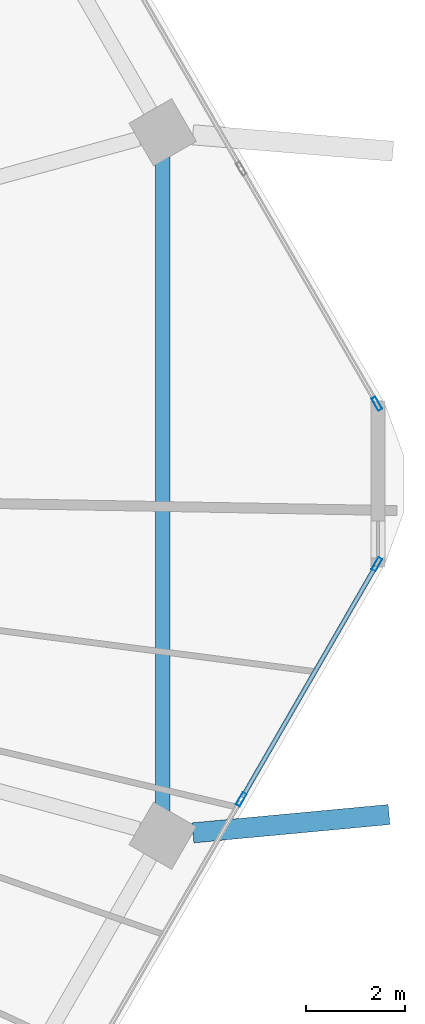
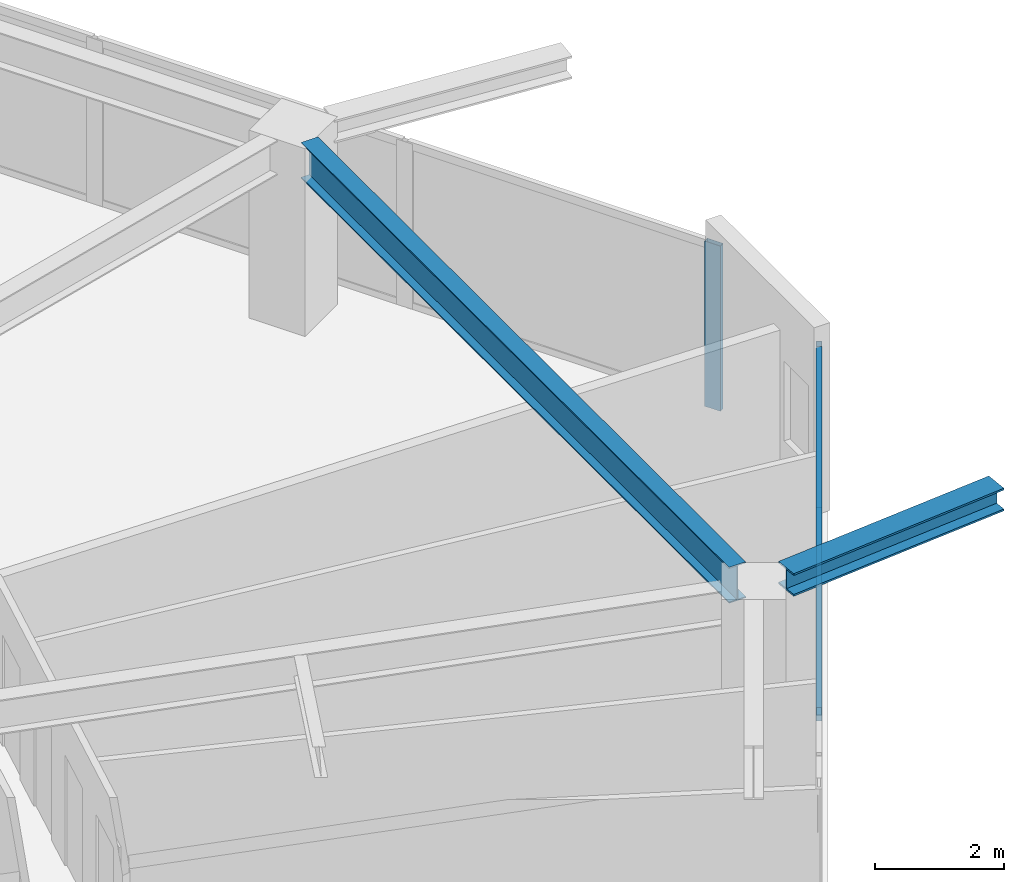
# One storey, part 9 of 27: 5 members, 2 beams, 2 elements without a shape of their own.
"""IFC4 building model written with IfcOpenShell, lengths in metres."""

from ifc_helpers import new_model, si_unit, direction, frame, origin, origin_2d, place, context, subcontext, project, spatial, hollow_rectangle, i_section, extrude, material, material_profile, profile_set, type_object, element, aggregate, save


model = new_model("IFC4")

# Units and contexts
model_context = context("Model", 3, precision=1e-05, world=origin(), true_north=direction((0.0, 1.0)))
body_context = subcontext(model_context, "Body", "Model", "MODEL_VIEW")
ifc_project = project(units=[si_unit("LENGTHUNIT", "METRE"), si_unit("AREAUNIT", "SQUARE_METRE"), si_unit("VOLUMEUNIT", "CUBIC_METRE"), si_unit("PLANEANGLEUNIT", "RADIAN"), si_unit("MASSUNIT", "GRAM", prefix="KILO")], contexts=[model_context])

# Site, building, storey
site_placement = place(None, origin())
site = spatial("IfcSite", under=ifc_project, at=site_placement, CompositionType="ELEMENT")
building_placement = place(site_placement, origin())
building = spatial("IfcBuilding", under=site, at=building_placement, Name="Zuhravey Tower", CompositionType="ELEMENT")
storey_placement = place(building_placement, frame((0.0, 0.0, 173.199951171875)))
storey = spatial("IfcBuildingStorey", under=building, at=storey_placement, Name="L43", CompositionType="ELEMENT", Elevation=173.199951171875)

# Curtain wall, members
ifc_material_1 = material(Name="Thermally broken anodised aluminium", Category="aluminium")
curtain_wall_type = type_object("IfcCurtainWallType", Name="Zone 1-2 Residential Curtain Wall CW3", PredefinedType="NOTDEFINED", material=ifc_material_1)
curtain_wall_1_placement = place(storey_placement, origin())
curtain_wall_1 = element("IfcCurtainWall", 1, at=curtain_wall_1_placement, inside=storey, type_object=curtain_wall_type, Name="L43 CW3 CW-L43-F6-1", PredefinedType="NOTDEFINED")
ifc_material_2 = material(Name="Anodised aluminium", Category="aluminium")
ifc_material_profile_1 = material_profile(ifc_material_2, hollow_rectangle(XDim=0.090087890625, YDim=0.284912109375, WallThickness=0.0048828125, at=origin_2d()), Name="ALU-RHS-90x285x5")
ifc_profile_set_1 = profile_set([ifc_material_profile_1], Name="Anodised aluminium")
member_type_1 = type_object("IfcMemberType", Name="Curtain-Wall Mullion 90x180", PredefinedType="MULLION", material=ifc_profile_set_1)
member_1_placement = place(storey_placement, frame((66.44921875, 30.37353515625, 0.0), z_axis=(0.0, 0.0, 1.0), x_axis=(0.866025138215, -0.500000459979, 0.0)))
member_1 = element("IfcMember", 2, at=member_1_placement, type_object=member_type_1, Name="CW3 mullion 1", PredefinedType="MULLION", context=body_context, shape_type="SweptSolid", body=[
    extrude(hollow_rectangle(XDim=0.090087890625, YDim=0.284912109375, WallThickness=0.0048828125, at=origin_2d()), origin(), (0.0, 0.0, 1.0), 3.1220703125),
])
member_2_placement = place(storey_placement, frame((63.699462890625, 25.61083984375, 0.0), z_axis=(0.0, 0.0, 1.0), x_axis=(0.866025138215, -0.500000459979, 0.0)))
member_2 = element("IfcMember", 3, at=member_2_placement, type_object=member_type_1, Name="CW3 mullion 2", PredefinedType="MULLION", context=body_context, shape_type="SweptSolid", body=[
    extrude(hollow_rectangle(XDim=0.090087890625, YDim=0.284912109375, WallThickness=0.0048828125, at=origin_2d()), origin(), (0.0, 0.0, 1.0), 3.1220703125),
])

# Curtain wall, member
curtain_wall_2_placement = place(storey_placement, origin())
curtain_wall_2 = element("IfcCurtainWall", 4, at=curtain_wall_2_placement, inside=storey, type_object=curtain_wall_type, Name="L43 CW3 CW-L43-F1-1", PredefinedType="NOTDEFINED")
member_3_placement = place(storey_placement, frame((66.44921875, 33.62646484375, 0.0), z_axis=(0.0, 0.0, 1.0), x_axis=(0.866025138215, 0.500000459979, 0.0)))
member_3 = element("IfcMember", 5, at=member_3_placement, type_object=member_type_1, Name="CW3 mullion 6", PredefinedType="MULLION", context=body_context, shape_type="SweptSolid", body=[
    extrude(hollow_rectangle(XDim=0.090087890625, YDim=0.284912109375, WallThickness=0.0048828125, at=origin_2d()), origin(), (0.0, 0.0, 1.0), 3.1220703125),
])
aggregate(curtain_wall_2, [member_3])

# Member
ifc_material_profile_2 = material_profile(ifc_material_2, hollow_rectangle(XDim=0.090087890625, YDim=0.14990234375, WallThickness=0.0048828125, at=origin_2d()), Name="ALU-RHS-90x150x5")
ifc_profile_set_2 = profile_set([ifc_material_profile_2], Name="Anodised aluminium")
member_type_2 = type_object("IfcMemberType", Name="Curtain-Wall Transom 90x150", PredefinedType="USERDEFINED", material=ifc_profile_set_2)
member_4_placement = place(storey_placement, frame((66.4267578125, 30.33447265625, 0.045166015625), z_axis=(-0.499993332629, -0.866029253159, 0.0), x_axis=(0.866029253159, -0.499993332629, 0.0)))
member_4 = element("IfcMember", 6, at=member_4_placement, type_object=member_type_2, Name="CW3 transom 1.1", ObjectType="TRANSOM", PredefinedType="USERDEFINED", context=body_context, shape_type="SweptSolid", body=[
    extrude(hollow_rectangle(XDim=0.090087890625, YDim=0.14990234375, WallThickness=0.0048828125, at=origin_2d()), origin(), (0.0, 0.0, 1.0), 5.4091796875),
])

member_5_placement = place(storey_placement, frame((66.4267578125, 30.33447265625, 3.0771484375), z_axis=(-0.499993332629, -0.866029253159, 0.0), x_axis=(0.866029253159, -0.499993332629, 0.0)))
member_5 = element("IfcMember", 7, at=member_5_placement, type_object=member_type_2, Name="CW3 transom 1.2", ObjectType="TRANSOM", PredefinedType="USERDEFINED", context=body_context, shape_type="SweptSolid", body=[
    extrude(hollow_rectangle(XDim=0.090087890625, YDim=0.14990234375, WallThickness=0.0048828125, at=origin_2d()), origin(), (0.0, 0.0, 1.0), 5.4091796875),
])

aggregate(curtain_wall_1, [member_1, member_2, member_4, member_5])

# Beams
ifc_material_3 = material(Name="Steel SM460", Category="steel")
ifc_material_profile_3 = material_profile(ifc_material_3, i_section(OverallWidth=0.406982421875, OverallDepth=0.427978515625, WebThickness=0.02001953125, FlangeThickness=0.034912109375, at=origin_2d()), Name="H-428x407x20x35")
ifc_profile_set_3 = profile_set([ifc_material_profile_3], Name="Steel SM460")
beam_type_1 = type_object("IfcBeamType", Name="Exoskeleton Node Tie Beam H428x407", PredefinedType="BEAM", material=ifc_profile_set_3)
beam_1_placement = place(storey_placement, frame((62.721923828125, 24.930908203125, 3.3359375), z_axis=(0.995664387001, 0.093018430746, 0.0), x_axis=(-0.093018430746, 0.995664387001, 0.0)))
element("IfcBeam", 8, at=beam_1_placement, inside=storey, type_object=beam_type_1, Name="L43 Exoskeleton Node Tie NT1-12", PredefinedType="BEAM", context=body_context, shape_type="SweptSolid", body=[
    extrude(i_section(OverallWidth=0.406982421875, OverallDepth=0.427978515625, WebThickness=0.02001953125, FlangeThickness=0.034912109375, at=origin_2d()), origin(), (0.0, 0.0, 1.0), 3.989501953125),
])
ifc_material_4 = material(Name="Steel SM355", Category="steel")
ifc_material_profile_4 = material_profile(ifc_material_4, i_section(OverallWidth=0.300048828125, OverallDepth=0.679931640625, WebThickness=0.012939453125, FlangeThickness=0.02197265625, at=origin_2d()), Name="H-680x300x13x22")
ifc_profile_set_4 = profile_set([ifc_material_profile_4], Name="Steel SM355")
beam_type_2 = type_object("IfcBeamType", Name="Perimeter Ring Beam H680x300", PredefinedType="BEAM", material=ifc_profile_set_4)
beam_2_placement = place(storey_placement, frame((62.107666015625, 25.37646484375, 3.2099609375), z_axis=(0.0, 1.0, 0.0), x_axis=(-1.0, 0.0, 0.0)))
element("IfcBeam", 9, at=beam_2_placement, inside=storey, type_object=beam_type_2, Name="L43 PB2 BM-L43-PB-12", PredefinedType="BEAM", context=body_context, shape_type="SweptSolid", body=[
    extrude(i_section(OverallWidth=0.300048828125, OverallDepth=0.679931640625, WebThickness=0.012939453125, FlangeThickness=0.02197265625, at=origin_2d()), origin(), (0.0, 0.0, 1.0), 13.2470703125),
])

save(model, "model.ifc")
